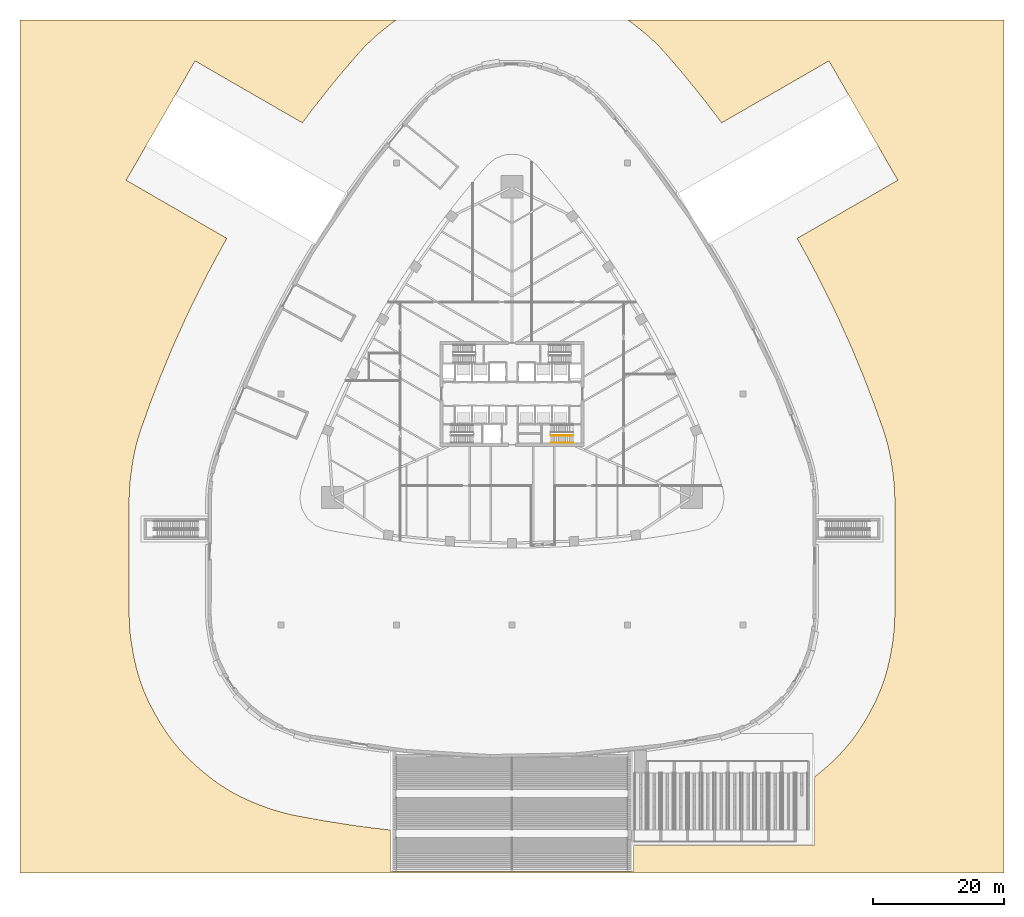
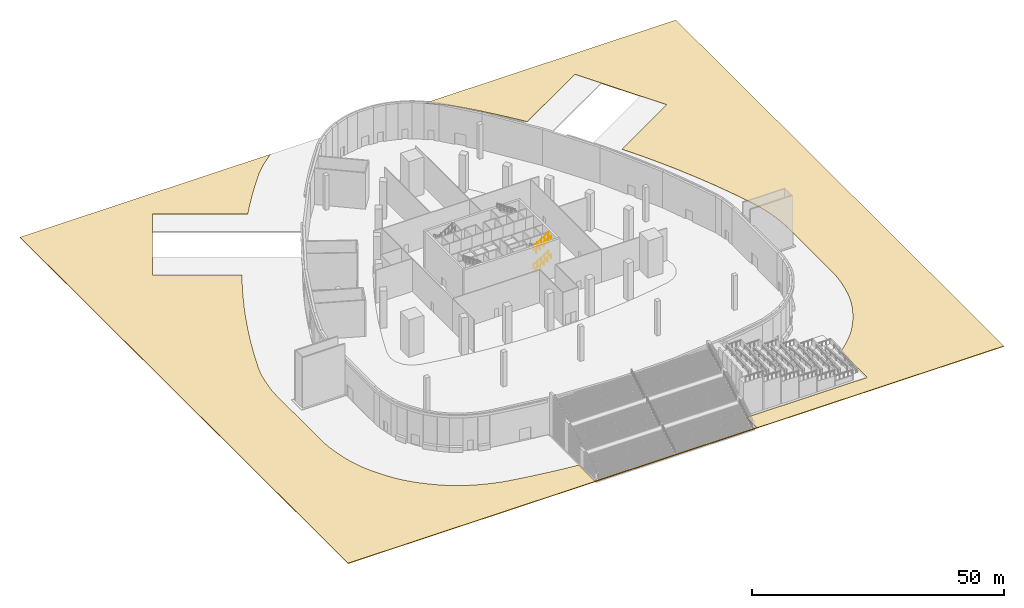
# One storey, part 24 of 29: 4 railings, 1 covering.
"""IFC4 building model written with IfcOpenShell, lengths in metres."""

from ifc_helpers import new_model, si_unit, direction, frame, origin, origin_2d, place, context, subcontext, project, spatial, polyline, circle, outline, extrude, material, layer, layer_set, type_object, element, save


model = new_model("IFC4")

# Units and contexts
model_context = context("Model", 3, precision=1e-05, world=origin(), true_north=direction((0.0, 1.0)))
body_context = subcontext(model_context, "Body", "Model", "MODEL_VIEW")
ifc_project = project(units=[si_unit("LENGTHUNIT", "METRE"), si_unit("AREAUNIT", "SQUARE_METRE"), si_unit("VOLUMEUNIT", "CUBIC_METRE"), si_unit("PLANEANGLEUNIT", "RADIAN"), si_unit("MASSUNIT", "GRAM", prefix="KILO")], contexts=[model_context])

# Site, building, storey
site_placement = place(None, origin())
site = spatial("IfcSite", under=ifc_project, at=site_placement, CompositionType="ELEMENT")
building_placement = place(site_placement, origin())
building = spatial("IfcBuilding", under=site, at=building_placement, Name="Sierra Prisma Convention Tower", CompositionType="ELEMENT")
storey_placement = place(building_placement, origin())
storey = spatial("IfcBuildingStorey", under=building, at=storey_placement, Name="L00", CompositionType="ELEMENT", Elevation=0.0)

# Railings
ifc_material_1 = material(Name="Stainless steel", Category="steel")
railing_type_1 = type_object("IfcRailingType", Name="Exit stair handrail", PredefinedType="HANDRAIL", material=ifc_material_1)
for number, where, name in (
    (1, (5.93994140625, -7.449951171875, 2.423095703125), "L00 S2 stair handrail 2"),
    (2, (5.93994140625, -7.449951171875, 6.923095703125), "L00 S2 stair handrail 4"),
):
    element("IfcRailing", number, at=place(storey_placement, frame(where)), inside=storey, type_object=railing_type_1, Name=name, PredefinedType="HANDRAIL", context=body_context, shape_type="SweptSolid", body=[
        extrude(circle(Radius=0.02392578125, at=origin_2d()), frame((0.0, 0.0, 0.8759765625), z_axis=(0.850623216509, 0.0, 0.525775754039), x_axis=(0.0, 1.0, 0.0)), (0.0, 0.0, 1.0), 3.9501953125),
        extrude(circle(Radius=0.02099609375, at=origin_2d()), origin(), (0.0, 0.0, 1.0), 0.851806640625),
        extrude(circle(Radius=0.02099609375, at=origin_2d()), frame((0.840087890625, 0.0, 0.519287109375)), (0.0, 0.0, 1.0), 0.851806640625),
        extrude(circle(Radius=0.02099609375, at=origin_2d()), frame((1.68017578125, 0.0, 1.03857421875)), (0.0, 0.0, 1.0), 0.851806640625),
        extrude(circle(Radius=0.02099609375, at=origin_2d()), frame((2.52001953125, 0.0, 1.5576171875)), (0.0, 0.0, 1.0), 0.851806640625),
        extrude(circle(Radius=0.02099609375, at=origin_2d()), frame((3.360107421875, 0.0, 2.076904296875)), (0.0, 0.0, 1.0), 0.851806640625),
    ])

# Covering
ifc_material_2 = material(Name="Light grey concrete paving", Category="concrete")
ifc_layer = layer(ifc_material_2, 0.14990234375)
ifc_layer_set = layer_set([ifc_layer], Name="Site paving 150")
covering_type = type_object("IfcCoveringType", Name="Site paving 150", PredefinedType="FLOORING", material=ifc_layer_set)
covering_placement = place(storey_placement, frame((0.0, 0.0, -0.14990234375)))
element("IfcCovering", 3, at=covering_placement, inside=storey, type_object=covering_type, Name="Site paving 1", PredefinedType="FLOORING", context=body_context, shape_type="SweptSolid", body=[
    extrude(outline(polyline([(75.0, -73.0), (75.0, 57.0), (17.659912109375, 57.0), (18.587890625, 56.31494140625), (19.010009765625, 55.989990234375), (19.93310546875, 55.242919921875), (20.25, 54.97705078125), (21.01806640625, 54.31103515625), (21.493896484375, 53.875), (22.12890625, 53.260986328125), (22.5810546875, 52.800048828125), (23.27294921875, 52.055908203125), (23.60595703125, 51.681884765625), (26.118896484375, 48.739990234375), (29.033935546875, 45.14697265625), (31.967041015625, 41.322021484375), (48.31494140625, 50.760986328125), (58.81494140625, 32.573974609375), (43.449951171875, 23.702880859375), (44.720947265625, 21.455078125), (46.715087890625, 17.7060546875), (48.700927734375, 13.73291015625), (49.842041015625, 11.327880859375), (51.81201171875, 6.926025390625), (53.468017578125, 2.94189453125), (55.092041015625, -1.27001953125), (56.55908203125, -5.39208984375), (56.718017578125, -5.873046875), (57.01708984375, -6.843994140625), (57.18994140625, -7.466064453125), (57.404052734375, -8.323974609375), (57.5439453125, -8.9541015625), (57.737060546875, -9.950927734375), (57.81689453125, -10.4140625), (58.069091796875, -12.06103515625), (58.169921875, -12.93798828125), (58.31005859375, -14.72900390625), (58.346923828125, -15.660888671875), (58.35498046875, -33.626953125), (58.346923828125, -34.06201171875), (58.30908203125, -35.115966796875), (58.243896484375, -36.0029296875), (58.077880859375, -37.507080078125), (57.962890625, -38.304931640625), (57.674072265625, -39.9169921875), (57.552001953125, -40.514892578125), (57.257080078125, -41.782958984375), (57.04296875, -42.5810546875), (56.7109375, -43.6640625), (56.31689453125, -44.760986328125), (55.708984375, -46.222900390625), (55.277099609375, -47.14892578125), (54.676025390625, -48.303955078125), (54.4208984375, -48.77001953125), (53.85791015625, -49.7451171875), (53.58203125, -50.198974609375), (52.882080078125, -51.2958984375), (52.4130859375, -51.97900390625), (51.739013671875, -52.889892578125), (51.0009765625, -53.791015625), (49.94091796875, -54.967041015625), (49.33203125, -55.593994140625), (48.801025390625, -56.10302734375), (48.384033203125, -56.48388671875), (47.10888671875, -57.594970703125), (46.610107421875, -58.006103515625), (46.125, -58.385009765625), (46.125, -68.85400390625), (18.5, -68.85400390625), (18.5, -72.7900390625), (-18.5, -72.7900390625), (-18.5, -66.48291015625), (-21.68701171875, -66.114013671875), (-24.330078125, -65.7548828125), (-28.64794921875, -65.075927734375), (-32.948974609375, -64.284912109375), (-33.446044921875, -64.18310546875), (-34.43603515625, -63.9560546875), (-35.260986328125, -63.736083984375), (-36.654052734375, -63.31103515625), (-37.39404296875, -63.05908203125), (-38.91796875, -62.48291015625), (-39.47607421875, -62.256103515625), (-40.6689453125, -61.735107421875), (-41.416015625, -61.376953125), (-42.4208984375, -60.85400390625), (-43.427001953125, -60.26611328125), (-44.7529296875, -59.40087890625), (-45.583984375, -58.806884765625), (-46.610107421875, -58.006103515625), (-47.02197265625, -57.6689453125), (-47.876953125, -56.93798828125), (-48.27392578125, -56.583984375), (-49.22509765625, -55.696044921875), (-49.94091796875, -54.967041015625), (-51.0009765625, -53.791015625), (-51.739013671875, -52.889892578125), (-52.4130859375, -51.97900390625), (-52.802001953125, -51.419921875), (-53.205078125, -50.805908203125), (-53.50390625, -50.324951171875), (-54.363037109375, -48.867919921875), (-54.676025390625, -48.303955078125), (-55.277099609375, -47.14892578125), (-55.633056640625, -46.402099609375), (-56.083984375, -45.364013671875), (-56.4970703125, -44.27197265625), (-56.985107421875, -42.76611328125), (-57.257080078125, -41.782958984375), (-57.552001953125, -40.514892578125), (-57.696044921875, -39.79296875), (-58.06591796875, -37.590087890625), (-58.181884765625, -36.700927734375), (-58.26611328125, -35.787109375), (-58.30908203125, -35.115966796875), (-58.346923828125, -34.06201171875), (-58.35498046875, -33.632080078125), (-58.35498046875, -16.056884765625), (-58.337890625, -15.425048828125), (-58.2490234375, -13.7470703125), (-58.14208984375, -12.660888671875), (-57.8310546875, -10.510009765625), (-57.737060546875, -9.950927734375), (-57.5439453125, -8.9541015625), (-57.404052734375, -8.323974609375), (-57.18994140625, -7.466064453125), (-57.01708984375, -6.843994140625), (-56.718017578125, -5.873046875), (-56.55908203125, -5.39208984375), (-55.091064453125, -1.264892578125), (-53.5400390625, 2.760986328125), (-51.81005859375, 6.929931640625), (-49.947998046875, 11.09912109375), (-48.698974609375, 13.737060546875), (-46.656982421875, 17.819091796875), (-44.718017578125, 21.458984375), (-43.4619140625, 23.7099609375), (-58.81591796875, 32.574951171875), (-48.31591796875, 50.760986328125), (-31.967041015625, 41.322021484375), (-30.508056640625, 43.2529296875), (-27.804931640625, 46.68798828125), (-26.118896484375, 48.739990234375), (-23.60595703125, 51.681884765625), (-23.27294921875, 52.055908203125), (-22.5810546875, 52.800048828125), (-21.97802734375, 53.405029296875), (-20.9130859375, 54.39892578125), (-20.325927734375, 54.9130859375), (-19.06494140625, 55.945068359375), (-18.587890625, 56.31494140625), (-17.659912109375, 57.0), (-75.0, 57.0), (-75.0, -73.0), (75.0, -73.0)])), origin(), (0.0, 0.0, 1.0), 0.14990234375),
])

# Railings
ifc_material_3 = material(Name="Stainless steel", Category="steel")
railing_type_2 = type_object("IfcRailingType", Name="Stair guard 1100", PredefinedType="GUARDRAIL", material=ifc_material_3)
for number, where, name in (
    (4, (5.93994140625, -6.35009765625, 2.423095703125), "L00 S2 stair guard 3"),
    (5, (5.93994140625, -6.35009765625, 6.923095703125), "L00 S2 stair guard 7"),
):
    element("IfcRailing", number, at=place(storey_placement, frame(where)), inside=storey, type_object=railing_type_2, Name=name, PredefinedType="GUARDRAIL", context=body_context, shape_type="SweptSolid", body=[
        extrude(circle(Radius=0.02392578125, at=origin_2d()), frame((0.0, 0.0, 1.076171875), z_axis=(0.850623216509, 0.0, 0.525775754039), x_axis=(0.0, 1.0, 0.0)), (0.0, 0.0, 1.0), 3.9501953125),
        extrude(circle(Radius=0.02099609375, at=origin_2d()), origin(), (0.0, 0.0, 1.0), 1.052001953125),
        extrude(circle(Radius=0.02099609375, at=origin_2d()), frame((0.840087890625, 0.0, 0.519287109375)), (0.0, 0.0, 1.0), 1.052001953125),
        extrude(circle(Radius=0.02099609375, at=origin_2d()), frame((1.68017578125, 0.0, 1.03857421875)), (0.0, 0.0, 1.0), 1.052001953125),
        extrude(circle(Radius=0.02099609375, at=origin_2d()), frame((2.52001953125, 0.0, 1.5576171875)), (0.0, 0.0, 1.0), 1.052001953125),
        extrude(circle(Radius=0.02099609375, at=origin_2d()), frame((3.360107421875, 0.0, 2.076904296875)), (0.0, 0.0, 1.0), 1.052001953125),
    ])

save(model, "model.ifc")
